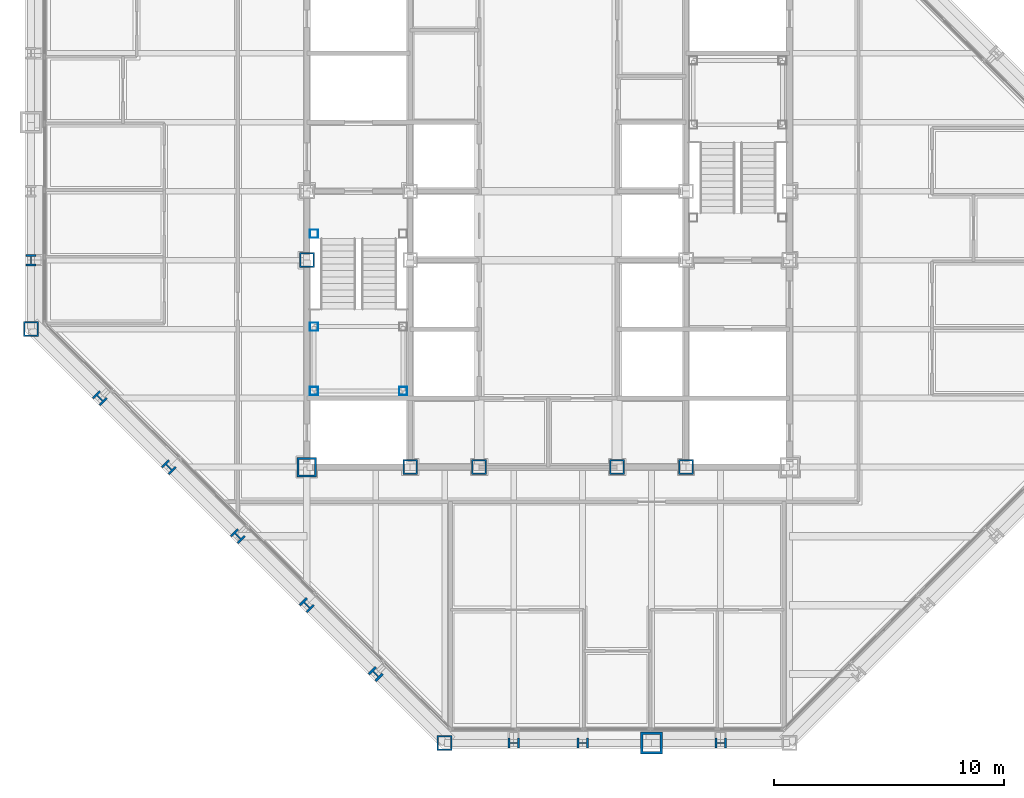
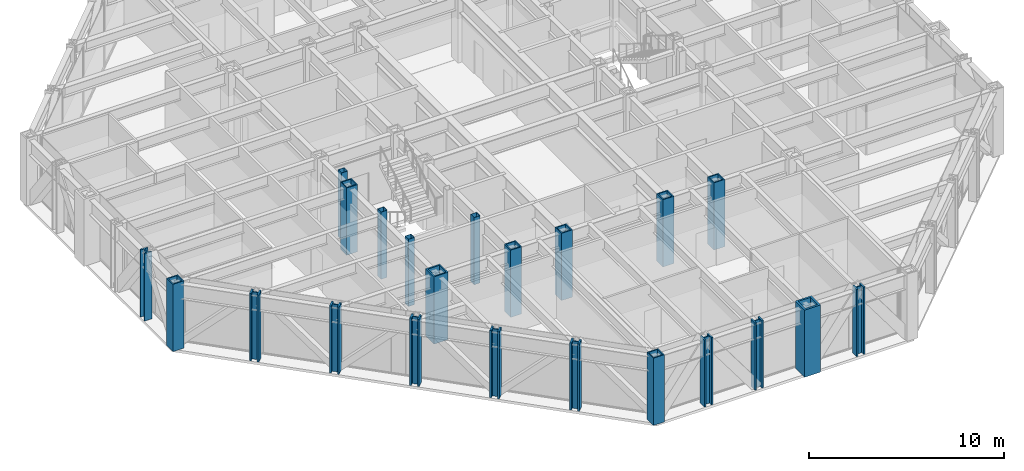
# One storey, part 1 of 16: 22 columns.
"""IFC4 building model written with IfcOpenShell, lengths in metres."""

from ifc_helpers import new_model, si_unit, direction, frame, origin, origin_2d, place, context, subcontext, project, spatial, hollow_rectangle, i_section, extrude, material, material_profile, profile_set, type_object, element, save


model = new_model("IFC4")

# Units and contexts
model_context = context("Model", 3, precision=1e-05, world=origin(), true_north=direction((0.0, 1.0)))
body_context = subcontext(model_context, "Body", "Model", "MODEL_VIEW")
ifc_project = project(units=[si_unit("LENGTHUNIT", "METRE"), si_unit("AREAUNIT", "SQUARE_METRE"), si_unit("VOLUMEUNIT", "CUBIC_METRE"), si_unit("PLANEANGLEUNIT", "RADIAN"), si_unit("MASSUNIT", "GRAM", prefix="KILO")], contexts=[model_context])

# Site, building, storey
site_placement = place(None, origin())
site = spatial("IfcSite", under=ifc_project, at=site_placement, CompositionType="ELEMENT")
building_placement = place(site_placement, origin())
building = spatial("IfcBuilding", under=site, at=building_placement, Name="Chuquiago Exchange Tower", CompositionType="ELEMENT")
storey_placement = place(building_placement, frame((0.0, 0.0, 205.5)))
storey = spatial("IfcBuildingStorey", under=building, at=storey_placement, Name="L45", CompositionType="ELEMENT", Elevation=205.5)

# Columns
ifc_material_1 = material(Name="Steel ASTM A992", Category="steel")
ifc_material_profile_1 = material_profile(ifc_material_1, i_section(OverallWidth=0.431884765625, OverallDepth=0.497802734375, WebThickness=0.0556640625, FlangeThickness=0.0888671875, at=origin_2d()), Name="W14X500")
ifc_profile_set_1 = profile_set([ifc_material_profile_1], Name="Steel ASTM A992")
column_type_1 = type_object("IfcColumnType", Name="C4 W14X500", PredefinedType="COLUMN", material=ifc_profile_set_1)
for number, where, z_axis, x_axis, name in (
    (1, (21.0, 0.0, 0.0), (0.0, 0.0, 1.0), (0.0, -1.0, 0.0), "COL-L45-21_0"),
    (2, (24.0, 0.0, 0.0), (0.0, 0.0, 1.0), (0.0, -1.0, 0.0), "COL-L45-24_0"),
    (3, (30.0, 0.0, 0.0), (0.0, 0.0, 1.0), (0.0, -1.0, 0.0), "COL-L45-30_0"),
    (4, (0.0, 21.0, 0.0), (0.0, 0.0, 1.0), (-1.0, 0.0, 0.0), "COL-L45-0_21"),
):
    element("IfcColumn", number, at=place(storey_placement, frame(where, z_axis=z_axis, x_axis=x_axis)), inside=storey, type_object=column_type_1, Name=name, PredefinedType="COLUMN", context=body_context, shape_type="SweptSolid", body=[
        extrude(i_section(OverallWidth=0.431884765625, OverallDepth=0.497802734375, WebThickness=0.0556640625, FlangeThickness=0.0888671875, at=origin_2d()), origin(), (0.0, 0.0, 1.0), 4.199951171875),
    ])
ifc_material_2 = material(Name="Steel ASTM A572 Grade 50", Category="steel")
ifc_material_profile_2 = material_profile(ifc_material_2, hollow_rectangle(XDim=0.64990234375, YDim=0.64990234375, WallThickness=0.06494140625, at=origin_2d()), Name="BOX650X650X65")
ifc_profile_set_2 = profile_set([ifc_material_profile_2], Name="Steel ASTM A572 Grade 50")
column_type_2 = type_object("IfcColumnType", Name="CC4 BOX650X650X65", PredefinedType="COLUMN", material=ifc_profile_set_2)
for number, where, z_axis, x_axis, name in (
    (5, (16.5, 12.0, 0.0), (0.0, 0.0, 1.0), (1.0, 0.0, 0.0), "CCOL-L45-16.5_12"),
    (6, (19.5, 12.0, 0.0), (0.0, 0.0, 1.0), (1.0, 0.0, 0.0), "CCOL-L45-19.5_12"),
    (7, (25.5, 12.0, 0.0), (0.0, 0.0, 1.0), (1.0, 0.0, 0.0), "CCOL-L45-25.5_12"),
    (8, (28.5, 12.0, 0.0), (0.0, 0.0, 1.0), (1.0, 0.0, 0.0), "CCOL-L45-28.5_12"),
    (9, (12.0, 21.0, 0.0), (0.0, 0.0, 1.0), (1.0, 0.0, 0.0), "CCOL-L45-12_21"),
):
    element("IfcColumn", number, at=place(storey_placement, frame(where, z_axis=z_axis, x_axis=x_axis)), inside=storey, type_object=column_type_2, Name=name, PredefinedType="COLUMN", context=body_context, shape_type="SweptSolid", body=[
        extrude(hollow_rectangle(XDim=0.64990234375, YDim=0.64990234375, WallThickness=0.06494140625, at=origin_2d()), origin(), (0.0, 0.0, 1.0), 4.199951171875),
    ])
ifc_material_3 = material(Name="Steel ASTM A572 Grade 50", Category="steel")
ifc_material_profile_3 = material_profile(ifc_material_3, hollow_rectangle(XDim=0.85009765625, YDim=0.85009765625, WallThickness=0.0849609375, at=origin_2d()), Name="BOX850X850X85")
ifc_profile_set_3 = profile_set([ifc_material_profile_3], Name="Steel ASTM A572 Grade 50")
column_type_3 = type_object("IfcColumnType", Name="CC6 BOX850X850X85", PredefinedType="COLUMN", material=ifc_profile_set_3)
column_1_placement = place(storey_placement, frame((12.0, 12.0, 0.0), z_axis=(0.0, 0.0, 1.0), x_axis=(1.0, 0.0, 0.0)))
element("IfcColumn", 10, at=column_1_placement, inside=storey, type_object=column_type_3, Name="CCOL-L45-12_12", PredefinedType="COLUMN", context=body_context, shape_type="SweptSolid", body=[
    extrude(hollow_rectangle(XDim=0.85009765625, YDim=0.85009765625, WallThickness=0.0849609375, at=origin_2d()), origin(), (0.0, 0.0, 1.0), 4.199951171875),
])
ifc_material_4 = material(Name="Steel ASTM A992", Category="steel")
ifc_material_profile_4 = material_profile(ifc_material_4, i_section(OverallWidth=0.436767578125, OverallDepth=0.51318359375, WebThickness=0.060546875, FlangeThickness=0.096923828125, at=origin_2d()), Name="W14X550")
ifc_profile_set_4 = profile_set([ifc_material_profile_4], Name="Steel ASTM A992")
column_type_4 = type_object("IfcColumnType", Name="CK4 W14X550", PredefinedType="COLUMN", material=ifc_profile_set_4)
for number, where, z_axis, x_axis, name in (
    (11, (3.0, 15.0, 0.0), (0.0, 0.0, 1.0), (-0.707106781187, -0.707106781187, 0.0), "COL-L45-3_15"),
    (12, (6.0, 12.0, 0.0), (0.0, 0.0, 1.0), (-0.707106781187, -0.707106781187, 0.0), "COL-L45-6_12"),
    (13, (9.0, 9.0, 0.0), (0.0, 0.0, 1.0), (-0.707106781187, -0.707106781187, 0.0), "COL-L45-9_9"),
    (14, (12.0, 6.0, 0.0), (0.0, 0.0, 1.0), (-0.707106781187, -0.707106781187, 0.0), "COL-L45-12_6"),
    (15, (15.0, 3.0, 0.0), (0.0, 0.0, 1.0), (-0.707106781187, -0.707106781187, 0.0), "COL-L45-15_3"),
):
    element("IfcColumn", number, at=place(storey_placement, frame(where, z_axis=z_axis, x_axis=x_axis)), inside=storey, type_object=column_type_4, Name=name, PredefinedType="COLUMN", context=body_context, shape_type="SweptSolid", body=[
        extrude(i_section(OverallWidth=0.436767578125, OverallDepth=0.51318359375, WebThickness=0.060546875, FlangeThickness=0.096923828125, at=origin_2d()), origin(), (0.0, 0.0, 1.0), 4.199951171875),
    ])
ifc_material_5 = material(Name="Steel ASTM A572 Grade 50", Category="steel")
ifc_material_profile_5 = material_profile(ifc_material_5, hollow_rectangle(XDim=0.64990234375, YDim=0.64990234375, WallThickness=0.06494140625, at=origin_2d()), Name="BOX650X650X65")
ifc_profile_set_5 = profile_set([ifc_material_profile_5], Name="Steel ASTM A572 Grade 50")
column_type_5 = type_object("IfcColumnType", Name="CN2 BOX650X650X65", PredefinedType="COLUMN", material=ifc_profile_set_5)
for number, where, z_axis, x_axis, name in (
    (16, (18.0, 0.0, 0.0), (0.0, 0.0, 1.0), (0.0, -1.0, 0.0), "COL-L45-18_0"),
    (17, (0.0, 18.0, 0.0), (0.0, 0.0, 1.0), (-1.0, 0.0, 0.0), "COL-L45-0_18"),
):
    element("IfcColumn", number, at=place(storey_placement, frame(where, z_axis=z_axis, x_axis=x_axis)), inside=storey, type_object=column_type_5, Name=name, PredefinedType="COLUMN", context=body_context, shape_type="SweptSolid", body=[
        extrude(hollow_rectangle(XDim=0.64990234375, YDim=0.64990234375, WallThickness=0.06494140625, at=origin_2d()), origin(), (0.0, 0.0, 1.0), 4.199951171875),
    ])
ifc_material_6 = material(Name="Steel ASTM A572 Grade 42", Category="steel")
ifc_material_profile_6 = material_profile(ifc_material_6, hollow_rectangle(XDim=0.949951171875, YDim=0.949951171875, WallThickness=0.110107421875, at=origin_2d()), Name="BOX950X950X110")
ifc_profile_set_6 = profile_set([ifc_material_profile_6], Name="Steel ASTM A572 Grade 42")
column_type_6 = type_object("IfcColumnType", Name="CT1 BOX950X950X110", PredefinedType="COLUMN", material=ifc_profile_set_6)
column_2_placement = place(storey_placement, frame((27.0, 0.0, 0.0), z_axis=(0.0, 0.0, 1.0), x_axis=(0.0, -1.0, 0.0)))
element("IfcColumn", 18, at=column_2_placement, inside=storey, type_object=column_type_6, Name="COL-L45-27_0", PredefinedType="COLUMN", context=body_context, shape_type="SweptSolid", body=[
    extrude(hollow_rectangle(XDim=0.949951171875, YDim=0.949951171875, WallThickness=0.110107421875, at=origin_2d()), origin(), (0.0, 0.0, 1.0), 4.199951171875),
])
ifc_material_7 = material(Name="Steel ASTM A500 Grade C", Category="steel")
ifc_material_profile_7 = material_profile(ifc_material_7, hollow_rectangle(XDim=0.355712890625, YDim=0.355712890625, WallThickness=0.0087890625, at=origin_2d()), Name="HSS14X14X3/8")
ifc_profile_set_7 = profile_set([ifc_material_profile_7], Name="Steel ASTM A500 Grade C")
column_type_7 = type_object("IfcColumnType", Name="PT1 HSS14X14X3/8", PredefinedType="COLUMN", material=ifc_profile_set_7)
for number, where, z_axis, x_axis, name in (
    (19, (12.31005859375, 15.31005859375, 0.0), (0.0, 0.0, 1.0), (1.0, 0.0, 0.0), "Stair ST1 L45 landing post"),
    (20, (16.18994140625, 15.31005859375, 0.0), (0.0, 0.0, 1.0), (1.0, 0.0, 0.0), "Stair ST1 L45 landing post"),
    (21, (12.31005859375, 18.110107421875, 0.0), (0.0, 0.0, 1.0), (1.0, 0.0, 0.0), "Stair ST1 L45 landing post"),
    (22, (12.31005859375, 22.14990234375, 0.0), (0.0, 0.0, 1.0), (1.0, 0.0, 0.0), "Stair ST1 L45 landing post"),
):
    element("IfcColumn", number, at=place(storey_placement, frame(where, z_axis=z_axis, x_axis=x_axis)), inside=storey, type_object=column_type_7, Name=name, PredefinedType="COLUMN", context=body_context, shape_type="SweptSolid", body=[
        extrude(hollow_rectangle(XDim=0.355712890625, YDim=0.355712890625, WallThickness=0.0087890625, at=origin_2d()), origin(), (0.0, 0.0, 1.0), 4.199951171875),
    ])

save(model, "model.ifc")
